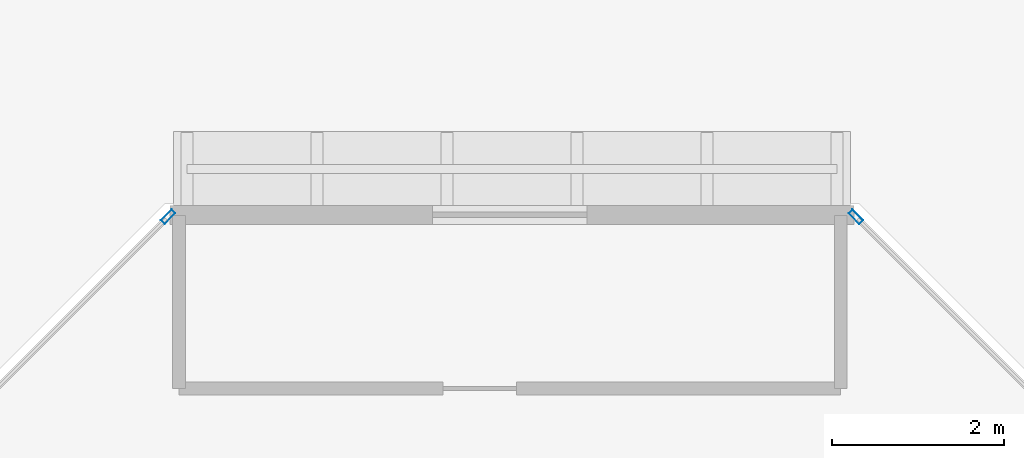
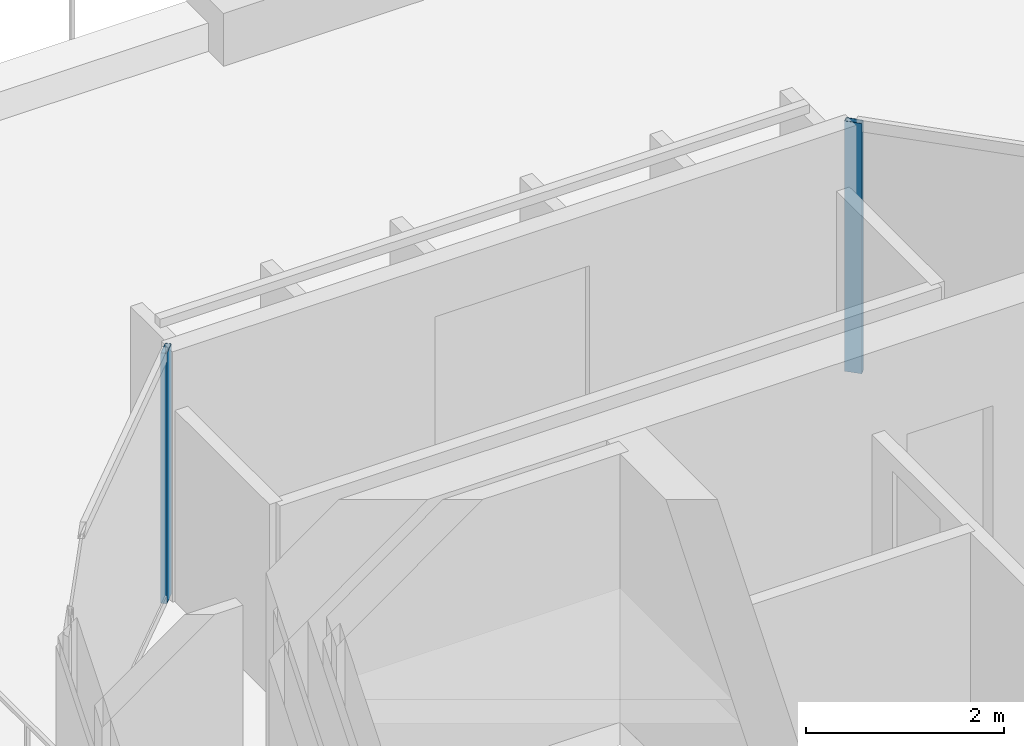
# One storey, part 12 of 30: 2 members, 2 elements without a shape of their own.
"""IFC4 building model written with IfcOpenShell, lengths in metres."""

from ifc_helpers import new_model, si_unit, direction, frame, origin, origin_2d, place, context, subcontext, project, spatial, hollow_rectangle, extrude, material, layer, layer_set, material_profile, profile_set, type_object, element, aggregate, save


model = new_model("IFC4")

# Units and contexts
model_context = context("Model", 3, precision=1e-05, world=origin(), true_north=direction((0.0, 1.0)))
body_context = subcontext(model_context, "Body", "Model", "MODEL_VIEW")
ifc_project = project(units=[si_unit("LENGTHUNIT", "METRE"), si_unit("AREAUNIT", "SQUARE_METRE"), si_unit("VOLUMEUNIT", "CUBIC_METRE"), si_unit("PLANEANGLEUNIT", "RADIAN"), si_unit("MASSUNIT", "GRAM", prefix="KILO")], contexts=[model_context])

# Site, building, storey
site_placement = place(None, origin())
site = spatial("IfcSite", under=ifc_project, at=site_placement, CompositionType="ELEMENT")
building_placement = place(site_placement, origin())
building = spatial("IfcBuilding", under=site, at=building_placement, Name="Tanjung Sevakor Pilgrim Tower", CompositionType="ELEMENT")
storey_placement = place(building_placement, frame((0.0, 0.0, 229.35009765625)))
storey = spatial("IfcBuildingStorey", under=building, at=storey_placement, Name="L64", CompositionType="ELEMENT", Elevation=229.35009765625)

# Curtain wall, member
ifc_material_1 = material(Name="Aluminium 6063-T6 and Low-E Glass", Category="aluminium")
ifc_layer = layer(ifc_material_1, 0.179931640625)
ifc_layer_set = layer_set([ifc_layer], Name="CW-SYS-CHAM")
curtain_wall_type = type_object("IfcCurtainWallType", Name="CW-SYS-CHAM", PredefinedType="NOTDEFINED", material=ifc_layer_set)
curtain_wall_1_placement = place(storey_placement, origin())
curtain_wall_1 = element("IfcCurtainWall", 1, at=curtain_wall_1_placement, inside=storey, type_object=curtain_wall_type, Name="L64 Curtain Wall CW-CHM-L64-WEST-3", PredefinedType="NOTDEFINED")
ifc_material_2 = material(Name="Aluminium 6063-T6", Category="aluminium")
ifc_material_profile = material_profile(ifc_material_2, hollow_rectangle(XDim=0.06494140625, YDim=0.179931640625, WallThickness=0.00390625, at=origin_2d()))
ifc_profile_set = profile_set([ifc_material_profile], Name="Aluminium 6063-T6")
member_type = type_object("IfcMemberType", Name="TYPE-CWM-1", PredefinedType="MULLION", material=ifc_profile_set)
member_1_placement = place(storey_placement, frame((32.827392578125, 46.26708984375, 0.0), z_axis=(0.0, 0.0, 1.0), x_axis=(-0.707106781187, -0.707106781187, 0.0)))
member_1 = element("IfcMember", 2, at=member_1_placement, type_object=member_type, Name="CW-CHM mullion 2", PredefinedType="MULLION", context=body_context, shape_type="SweptSolid", body=[
    extrude(hollow_rectangle(XDim=0.06494140625, YDim=0.179931640625, WallThickness=0.00390625, at=origin_2d()), origin(), (0.0, 0.0, 1.0), 3.079833984375),
])
aggregate(curtain_wall_1, [member_1])

curtain_wall_2_placement = place(storey_placement, origin())
curtain_wall_2 = element("IfcCurtainWall", 3, at=curtain_wall_2_placement, inside=storey, type_object=curtain_wall_type, Name="L64 Curtain Wall CW-CHM-L64-WEST-5", PredefinedType="NOTDEFINED")
member_2_placement = place(storey_placement, frame((24.822509765625, 46.26708984375, 0.0), z_axis=(0.0, 0.0, 1.0), x_axis=(0.707106781187, -0.707106781187, 0.0)))
member_2 = element("IfcMember", 4, at=member_2_placement, type_object=member_type, Name="CW-CHM mullion 1", PredefinedType="MULLION", context=body_context, shape_type="SweptSolid", body=[
    extrude(hollow_rectangle(XDim=0.06494140625, YDim=0.179931640625, WallThickness=0.00390625, at=origin_2d()), origin(), (0.0, 0.0, 1.0), 3.079833984375),
])
aggregate(curtain_wall_2, [member_2])

save(model, "model.ifc")
